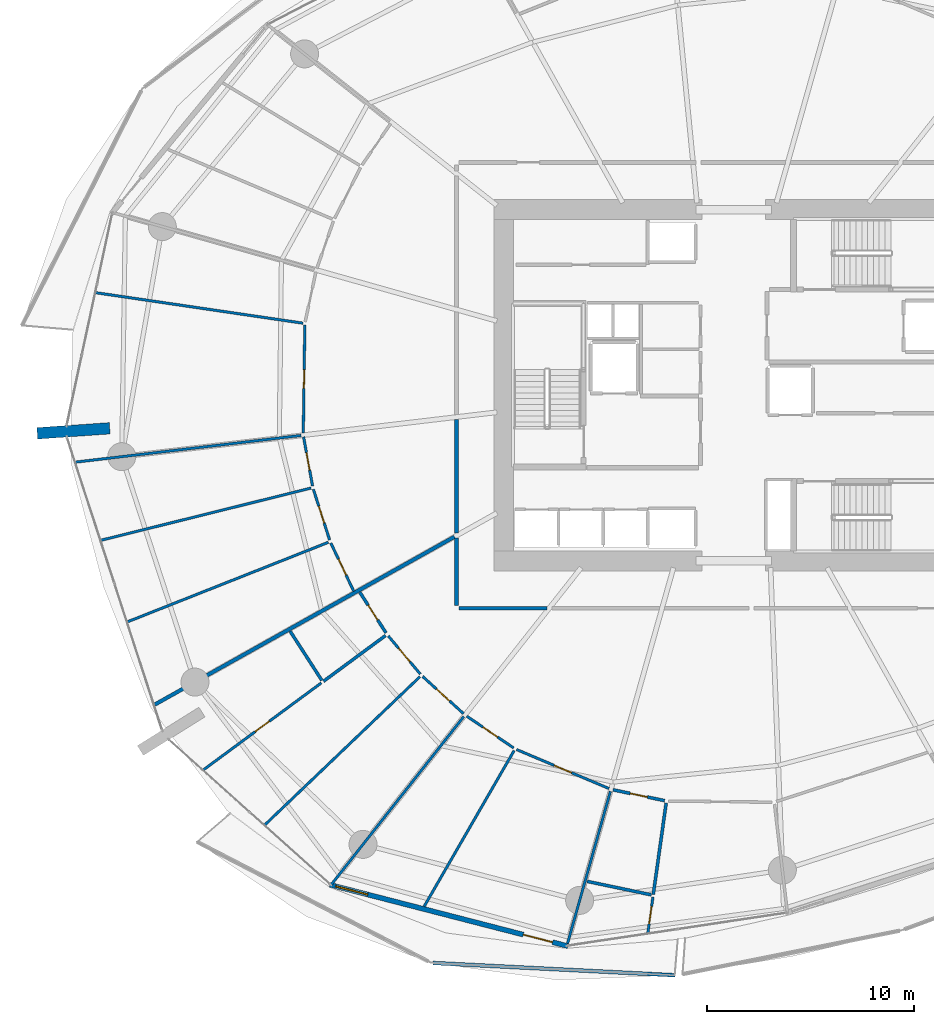
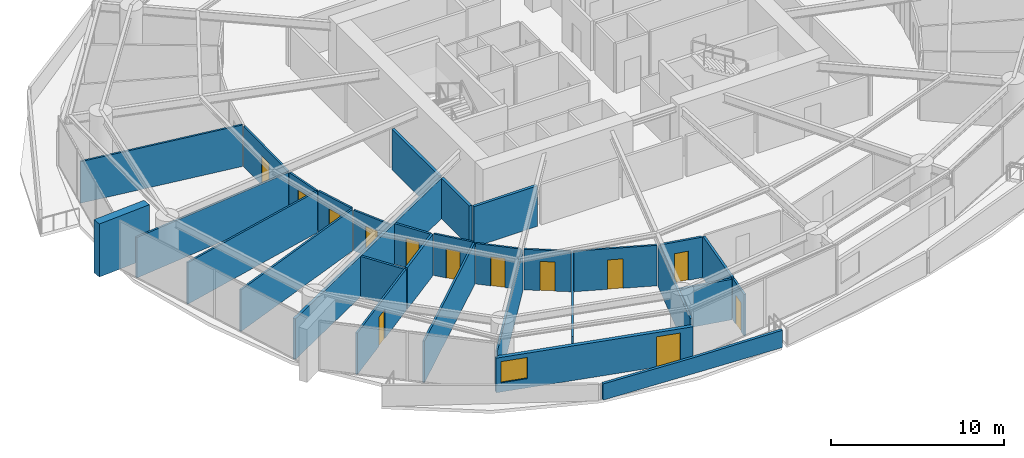
# One storey, part 19 of 31: 31 walls, 13 doors, 1 window, 14 openings.
"""IFC4 building model written with IfcOpenShell, lengths in metres."""

from ifc_helpers import new_model, si_unit, direction, frame, frame_2d, origin, place, context, subcontext, project, spatial, polyline, rectangle, outline, extrude, material, layer, layer_set, type_object, element, fill, save


model = new_model("IFC4")

# Units and contexts
model_context = context("Model", 3, precision=1e-05, world=origin(), true_north=direction((0.0, 1.0)))
body_context = subcontext(model_context, "Body", "Model", "MODEL_VIEW")
ifc_project = project(units=[si_unit("LENGTHUNIT", "METRE"), si_unit("AREAUNIT", "SQUARE_METRE"), si_unit("VOLUMEUNIT", "CUBIC_METRE"), si_unit("PLANEANGLEUNIT", "RADIAN"), si_unit("MASSUNIT", "GRAM", prefix="KILO")], contexts=[model_context])

# Site, building, storey
site_placement = place(None, origin())
site = spatial("IfcSite", under=ifc_project, at=site_placement, CompositionType="ELEMENT")
building_placement = place(site_placement, origin())
building = spatial("IfcBuilding", under=site, at=building_placement, Name="Kazma Halo Residences", CompositionType="ELEMENT")
storey_placement = place(building_placement, frame((0.0, 0.0, 37.64990234375)))
storey = spatial("IfcBuildingStorey", under=building, at=storey_placement, Name="L08", CompositionType="ELEMENT", Elevation=37.64990234375)

# Walls
ifc_material_1 = material(Name="White Concrete C50/60 Balustrade", Category="concrete")
ifc_layer_1 = layer(ifc_material_1, 0.179931640625)
ifc_layer_set_1 = layer_set([ifc_layer_1], Name="White Concrete C50/60 Balustrade")
wall_type_1 = type_object("IfcWallType", Name="WL-BAL-WAVE-180", PredefinedType="PARAPET", material=ifc_layer_set_1)
wall_1_placement = place(storey_placement, frame((33.923583984375, 14.132568359375, 0.0), z_axis=(0.0, 0.0, 1.0), x_axis=(0.998712715241, -0.050723884084, 0.0)))
element("IfcWall", 1, at=wall_1_placement, inside=storey, type_object=wall_type_1, Name="L08 white wave balustrade wall SW.2", PredefinedType="PARAPET", context=body_context, shape_type="SweptSolid", body=[
    extrude(outline(polyline([(0.0, 0.0), (11.6767578125, 0.0), (11.676513671875, 1.22412109375), (5.83837890625, 1.127197265625), (0.0, 1.148193359375), (0.0, 0.0)])), frame((0.0, 0.08984375, 0.0), z_axis=(0.0, -1.0, 0.0), x_axis=(1.0, 0.0, 0.0)), (0.0, 0.0, 1.0), 0.179931640625),
])
ifc_material_2 = material(Name="Pale Concrete C60/75", Category="concrete")
ifc_layer_2 = layer(ifc_material_2, 0.550048828125)
ifc_layer_set_2 = layer_set([ifc_layer_2], Name="Pale Concrete C60/75")
wall_type_2 = type_object("IfcWallType", Name="WL-BLADE-550", PredefinedType="SOLIDWALL", material=ifc_layer_set_2)
wall_2_placement = place(storey_placement, frame((18.322021484375, 39.9248046875, 0.0), z_axis=(0.0, 0.0, 1.0), x_axis=(-0.997564163539, -0.069754853754, 0.0)))
element("IfcWall", 2, at=wall_2_placement, inside=storey, type_object=wall_type_2, Name="L08 pale concrete structural blade fin wall BW-02", PredefinedType="SOLIDWALL", context=body_context, shape_type="SweptSolid", body=[
    extrude(rectangle(XDim=3.5, YDim=0.550048828125, at=frame_2d((1.75, 0.0))), origin(), (0.0, 0.0, 1.0), 3.75),
])
ifc_material_3 = material(Name="Acoustic Twin-Stud Gypsum")
ifc_layer_3 = layer(ifc_material_3, 0.179931640625)
ifc_layer_set_3 = layer_set([ifc_layer_3], Name="Acoustic Twin-Stud Gypsum")
wall_type_3 = type_object("IfcWallType", Name="WL-DEM-180", PredefinedType="PARTITIONING", material=ifc_layer_set_3)
wall_3_placement = place(storey_placement, frame((34.9541015625, 34.694091796875, 0.0), z_axis=(0.0, 0.0, 1.0), x_axis=(-0.872493465611, -0.488625779577, 0.0)))
element("IfcWall", 3, at=wall_3_placement, inside=storey, type_object=wall_type_3, Name="L08 apartment demising radial wall 08", PredefinedType="PARTITIONING", context=body_context, shape_type="SweptSolid", body=[
    extrude(rectangle(XDim=16.586181640625, YDim=0.179931640625, at=frame_2d((8.29296875, 0.0))), origin(), (0.0, 0.0, 1.0), 2.8671875),
])
wall_4_placement = place(storey_placement, frame((35.050048828125, 40.347412109375, 0.0), z_axis=(0.0, 0.0, 1.0), x_axis=(0.0, -1.0, 0.0)))
element("IfcWall", 4, at=wall_4_placement, inside=storey, type_object=wall_type_3, Name="L08 Apartment 1 inner wall 7", PredefinedType="PARTITIONING", context=body_context, shape_type="SweptSolid", body=[
    extrude(rectangle(XDim=5.479736328125, YDim=0.179931640625, at=frame_2d((2.73974609375, 0.0))), origin(), (0.0, 0.0, 1.0), 2.8671875),
])
wall_5_placement = place(storey_placement, frame((35.050048828125, 34.627685546875, 0.0), z_axis=(0.0, 0.0, 1.0), x_axis=(0.0, -1.0, 0.0)))
element("IfcWall", 5, at=wall_5_placement, inside=storey, type_object=wall_type_3, Name="L08 Apartment 2 inner wall 8", PredefinedType="PARTITIONING", context=body_context, shape_type="SweptSolid", body=[
    extrude(rectangle(XDim=3.257568359375, YDim=0.179931640625, at=frame_2d((1.62890625, 0.0))), origin(), (0.0, 0.0, 1.0), 2.8671875),
])
wall_6_placement = place(storey_placement, frame((35.169921875, 31.25, 0.0), z_axis=(0.0, 0.0, 1.0), x_axis=(1.0, 0.0, 0.0)))
element("IfcWall", 6, at=wall_6_placement, inside=storey, type_object=wall_type_3, Name="L08 Apartment 2 inner wall 8", PredefinedType="PARTITIONING", context=body_context, shape_type="SweptSolid", body=[
    extrude(rectangle(XDim=4.235595703125, YDim=0.179931640625, at=frame_2d((2.11767578125, 0.0))), origin(), (0.0, 0.0, 1.0), 2.8671875),
])

# Wall, openings, door, window
ifc_material_4 = material(Name="Insulated Pale-Metal Composite Wall")
ifc_layer_4 = layer(ifc_material_4, 0.239990234375)
ifc_layer_set_4 = layer_set([ifc_layer_4], Name="Insulated Pale-Metal Composite Wall")
wall_type_4 = type_object("IfcWallType", Name="WL-EXT-HOST-240", PredefinedType="SOLIDWALL", material=ifc_layer_set_4)
wall_7_placement = place(storey_placement, frame((28.94580078125, 17.90380859375, 0.0), z_axis=(0.0, 0.0, 1.0), x_axis=(0.96833871487, -0.249640007378, 0.0)))
wall_7 = element("IfcWall", 7, at=wall_7_placement, inside=storey, type_object=wall_type_4, Name="L08 exterior terrace-access wall B10", PredefinedType="SOLIDWALL", context=body_context, shape_type="SweptSolid", body=[
    extrude(rectangle(XDim=11.85107421875, YDim=0.239990234375, at=frame_2d((5.925537109375, 0.0))), origin(), (0.0, 0.0, 1.0), 2.4501953125),
])
opening_1_placement = place(wall_7_placement, frame((9.631103515625, 0.0, 0.0)))
opening_1 = element("IfcOpeningElement", 8, at=opening_1_placement, cuts=wall_7, Name="Opening DTR-1600", PredefinedType="OPENING", context=body_context, shape_type="SweptSolid", body=[
    extrude(rectangle(XDim=1.449951171875, YDim=2.14990234375, at=frame_2d((0.72509765625, 1.074951171875))), frame((0.0, 0.1298828125, 0.0), z_axis=(0.0, -1.0, 0.0), x_axis=(1.0, 0.0, 0.0)), (0.0, 0.0, 1.0), 0.260009765625),
])
opening_2_placement = place(wall_7_placement, frame((0.280029296875, 0.0, 0.64990234375)))
opening_2 = element("IfcOpeningElement", 9, at=opening_2_placement, cuts=wall_7, Name="Opening W-1800", PredefinedType="OPENING", context=body_context, shape_type="SweptSolid", body=[
    extrude(rectangle(XDim=1.60009765625, YDim=1.5, at=frame_2d((0.800048828125, 0.75))), frame((0.0, 0.1298828125, 0.0), z_axis=(0.0, -1.0, 0.0), x_axis=(1.0, 0.0, 0.0)), (0.0, 0.0, 1.0), 0.260009765625),
])
ifc_material_5 = material(Name="Aluminium AW-6063 T6 Double-Glazed Terrace Door", Category="aluminium")
door_type_1 = type_object("IfcDoorType", Name="DR-EXT-TERR-1600", OperationType="NOTDEFINED", PredefinedType="DOOR", material=ifc_material_5)
door_1_placement = place(opening_1_placement, origin())
door_1 = element("IfcDoor", 10, at=door_1_placement, inside=storey, type_object=door_type_1, Name="L08 B10 balcony terrace door", OperationType="DOUBLE_DOOR_SLIDING", OverallHeight=2.14990234375, OverallWidth=1.449951171875, PredefinedType="DOOR", context=body_context, shape_type="SweptSolid", body=[
    extrude(rectangle(XDim=1.449951171875, YDim=2.14990234375, at=frame_2d((0.72509765625, 1.074951171875))), frame((0.0, 0.02490234375, 0.0), z_axis=(0.0, -1.0, 0.0), x_axis=(1.0, 0.0, 0.0)), (0.0, 0.0, 1.0), 0.050048828125),
])
fill(opening_1, door_1)
ifc_material_6 = material(Name="Clear Triple-Silver Low-E Glass in Aluminium AW-6063 T6 Frame", Category="aluminium")
window_type = type_object("IfcWindowType", Name="WIN-RES-1800", PartitioningType="DOUBLE_PANEL_VERTICAL", PredefinedType="WINDOW", material=ifc_material_6)
window_placement = place(opening_2_placement, origin())
window = element("IfcWindow", 11, at=window_placement, inside=storey, type_object=window_type, Name="L08 B10 apartment window", OverallHeight=1.5, OverallWidth=1.60009765625, PartitioningType="SINGLE_PANEL", PredefinedType="WINDOW", context=body_context, shape_type="SweptSolid", body=[
    extrude(rectangle(XDim=1.60009765625, YDim=1.5, at=frame_2d((0.800048828125, 0.75))), frame((0.0, 0.030029296875, 0.0), z_axis=(0.0, -1.0, 0.0), x_axis=(1.0, 0.0, 0.0)), (0.0, 0.0, 1.0), 0.06005859375),
])
fill(opening_2, window)

# Wall
ifc_material_7 = material(Name="Gypsum Plasterboard Partition")
ifc_layer_5 = layer(ifc_material_7, 0.125)
ifc_layer_set_5 = layer_set([ifc_layer_5], Name="Gypsum Plasterboard Partition")
wall_type_5 = type_object("IfcWallType", Name="WL-PART-125", PredefinedType="PARTITIONING", material=ifc_layer_set_5)
wall_8_placement = place(storey_placement, frame((27.646240234375, 44.99462890625, 0.0), z_axis=(0.0, 0.0, 1.0), x_axis=(-0.989346856364, 0.145577463234, 0.0)))
element("IfcWall", 12, at=wall_8_placement, inside=storey, type_object=wall_type_5, Name="L08 Apartment 1 mid-bay wall 6", PredefinedType="PARTITIONING", context=body_context, shape_type="SweptSolid", body=[
    extrude(rectangle(XDim=10.104248046875, YDim=0.125, at=frame_2d((5.05224609375, 0.0))), origin(), (0.0, 0.0, 1.0), 2.940185546875),
])

# Wall, opening, door
wall_9_placement = place(storey_placement, frame((27.734130859375, 44.901611328125, 0.0), z_axis=(0.0, 0.0, 1.0), x_axis=(-0.014152399805, -0.999899849775, 0.0)))
wall_9 = element("IfcWall", 13, at=wall_9_placement, inside=storey, type_object=wall_type_5, Name="L08 Apartment 1 Primary Formal Dining Room hall wall", PredefinedType="PARTITIONING", context=body_context, shape_type="SweptSolid", body=[
    extrude(rectangle(XDim=5.209716796875, YDim=0.125, at=frame_2d((2.60498046875, 0.0))), origin(), (0.0, 0.0, 1.0), 2.8671875),
])
opening_3_placement = place(wall_9_placement, frame((2.15478515625, 0.0, 0.0)))
opening_3 = element("IfcOpeningElement", 14, at=opening_3_placement, cuts=wall_9, Name="Opening DI-950", PredefinedType="OPENING", context=body_context, shape_type="SweptSolid", body=[
    extrude(rectangle(XDim=0.89990234375, YDim=2.080078125, at=frame_2d((0.449951171875, 1.0400390625))), frame((0.0, 0.072509765625, 0.0), z_axis=(0.0, -1.0, 0.0), x_axis=(1.0, 0.0, 0.0)), (0.0, 0.0, 1.0), 0.14501953125),
])
ifc_material_8 = material(Name="Timber Veneer Flush Leaf", Category="wood")
door_type_2 = type_object("IfcDoorType", Name="DR-INT-950", OperationType="NOTDEFINED", PredefinedType="DOOR", material=ifc_material_8)
door_2_placement = place(opening_3_placement, origin())
door_2 = element("IfcDoor", 15, at=door_2_placement, inside=storey, type_object=door_type_2, Name="L08 Apartment 1 Primary Formal Dining Room door", OperationType="SINGLE_SWING_RIGHT", OverallHeight=2.080078125, OverallWidth=0.89990234375, PredefinedType="DOOR", context=body_context, shape_type="SweptSolid", body=[
    extrude(rectangle(XDim=0.89990234375, YDim=2.080078125, at=frame_2d((0.449951171875, 1.0400390625))), frame((0.0, 0.02490234375, 0.0), z_axis=(0.0, -1.0, 0.0), x_axis=(1.0, 0.0, 0.0)), (0.0, 0.0, 1.0), 0.050048828125),
])
fill(opening_3, door_2)

# Walls
wall_10_placement = place(storey_placement, frame((27.559814453125, 39.580810546875, 0.0), z_axis=(0.0, 0.0, 1.0), x_axis=(-0.993067148518, -0.117548451854, 0.0)))
element("IfcWall", 16, at=wall_10_placement, inside=storey, type_object=wall_type_5, Name="L08 Apartment 1 radial partition 7", PredefinedType="PARTITIONING", context=body_context, shape_type="SweptSolid", body=[
    extrude(rectangle(XDim=10.955810546875, YDim=0.125, at=frame_2d((5.47802734375, 0.0))), origin(), (0.0, 0.0, 1.0), 2.8671875),
])
wall_11_placement = place(storey_placement, frame((28.03369140625, 37.040283203125, 0.0), z_axis=(0.0, 0.0, 1.0), x_axis=(-0.970510155377, -0.241060237928, 0.0)))
element("IfcWall", 17, at=wall_11_placement, inside=storey, type_object=wall_type_5, Name="L08 Apartment 1 bay wall 1 7", PredefinedType="PARTITIONING", context=body_context, shape_type="SweptSolid", body=[
    extrude(rectangle(XDim=10.436767578125, YDim=0.125, at=frame_2d((5.21826171875, 0.0))), origin(), (0.0, 0.0, 1.0), 2.940185546875),
])
wall_12_placement = place(storey_placement, frame((28.87158203125, 34.426513671875, 0.0), z_axis=(0.0, 0.0, 1.0), x_axis=(-0.929776542834, -0.368124408855, 0.0)))
element("IfcWall", 18, at=wall_12_placement, inside=storey, type_object=wall_type_5, Name="L08 Apartment 1 bay wall 2 7", PredefinedType="PARTITIONING", context=body_context, shape_type="SweptSolid", body=[
    extrude(rectangle(XDim=10.420166015625, YDim=0.125, at=frame_2d((5.2099609375, 0.0))), origin(), (0.0, 0.0, 1.0), 2.940185546875),
])

# Wall, opening, door
wall_13_placement = place(storey_placement, frame((27.67333984375, 39.513916015625, 0.0), z_axis=(0.0, 0.0, 1.0), x_axis=(0.179642413558, -0.983731977345, 0.0)))
wall_13 = element("IfcWall", 19, at=wall_13_placement, inside=storey, type_object=wall_type_5, Name="L08 Apartment 1 Secondary Bedroom hall wall", PredefinedType="PARTITIONING", context=body_context, shape_type="SweptSolid", body=[
    extrude(rectangle(XDim=2.412353515625, YDim=0.125, at=frame_2d((1.2060546875, 0.0))), origin(), (0.0, 0.0, 1.0), 2.8671875),
])
opening_4_placement = place(wall_13_placement, frame((0.781005859375, 0.0, 0.0)))
opening_4 = element("IfcOpeningElement", 20, at=opening_4_placement, cuts=wall_13, Name="Opening DB-900", PredefinedType="OPENING", context=body_context, shape_type="SweptSolid", body=[
    extrude(rectangle(XDim=0.85009765625, YDim=2.06005859375, at=frame_2d((0.425048828125, 1.030029296875))), frame((0.0, 0.072509765625, 0.0), z_axis=(0.0, -1.0, 0.0), x_axis=(1.0, 0.0, 0.0)), (0.0, 0.0, 1.0), 0.14501953125),
])
ifc_material_9 = material(Name="Moisture-Sealed Timber Leaf", Category="wood")
door_type_3 = type_object("IfcDoorType", Name="DR-BTH-900", OperationType="NOTDEFINED", PredefinedType="DOOR", material=ifc_material_9)
door_3_placement = place(opening_4_placement, origin())
door_3 = element("IfcDoor", 21, at=door_3_placement, inside=storey, type_object=door_type_3, Name="L08 Apartment 1 Secondary Bedroom door", OperationType="SINGLE_SWING_LEFT", OverallHeight=2.06005859375, OverallWidth=0.85009765625, PredefinedType="DOOR", context=body_context, shape_type="SweptSolid", body=[
    extrude(rectangle(XDim=0.85009765625, YDim=2.06005859375, at=frame_2d((0.425048828125, 1.030029296875))), frame((0.0, 0.02490234375, 0.0), z_axis=(0.0, -1.0, 0.0), x_axis=(1.0, 0.0, 0.0)), (0.0, 0.0, 1.0), 0.050048828125),
])
fill(opening_4, door_3)

wall_14_placement = place(storey_placement, frame((28.1455078125, 36.98583984375, 0.0), z_axis=(0.0, 0.0, 1.0), x_axis=(0.305274947668, -0.952264252362, 0.0)))
wall_14 = element("IfcWall", 22, at=wall_14_placement, inside=storey, type_object=wall_type_5, Name="L08 Apartment 1 East Dressing Wardrobe hall wall", PredefinedType="PARTITIONING", context=body_context, shape_type="SweptSolid", body=[
    extrude(rectangle(XDim=2.57275390625, YDim=0.125, at=frame_2d((1.286376953125, 0.0))), origin(), (0.0, 0.0, 1.0), 2.940185546875),
])
opening_5_placement = place(wall_14_placement, frame((0.861328125, 0.0, 0.0)))
opening_5 = element("IfcOpeningElement", 23, at=opening_5_placement, cuts=wall_14, Name="Opening DB-900", PredefinedType="OPENING", context=body_context, shape_type="SweptSolid", body=[
    extrude(rectangle(XDim=0.85009765625, YDim=2.06005859375, at=frame_2d((0.425048828125, 1.030029296875))), frame((0.0, 0.072509765625, 0.0), z_axis=(0.0, -1.0, 0.0), x_axis=(1.0, 0.0, 0.0)), (0.0, 0.0, 1.0), 0.14501953125),
])
door_4_placement = place(opening_5_placement, origin())
door_4 = element("IfcDoor", 24, at=door_4_placement, inside=storey, type_object=door_type_3, Name="L08 Apartment 1 East Dressing Wardrobe door", OperationType="SINGLE_SWING_RIGHT", OverallHeight=2.06005859375, OverallWidth=0.85009765625, PredefinedType="DOOR", context=body_context, shape_type="SweptSolid", body=[
    extrude(rectangle(XDim=0.85009765625, YDim=2.06005859375, at=frame_2d((0.425048828125, 1.030029296875))), frame((0.0, 0.02490234375, 0.0), z_axis=(0.0, -1.0, 0.0), x_axis=(1.0, 0.0, 0.0)), (0.0, 0.0, 1.0), 0.050048828125),
])
fill(opening_5, door_4)

wall_15_placement = place(storey_placement, frame((28.98974609375, 34.387451171875, 0.0), z_axis=(0.0, 0.0, 1.0), x_axis=(0.429399392499, -0.903114700202, 0.0)))
wall_15 = element("IfcWall", 25, at=wall_15_placement, inside=storey, type_object=wall_type_5, Name="L08 Apartment 1 West Master Bedroom hall wall", PredefinedType="PARTITIONING", context=body_context, shape_type="SweptSolid", body=[
    extrude(rectangle(XDim=2.57275390625, YDim=0.125, at=frame_2d((1.286376953125, 0.0))), origin(), (0.0, 0.0, 1.0), 2.8671875),
])
opening_6_placement = place(wall_15_placement, frame((0.861328125, 0.0, 0.0)))
opening_6 = element("IfcOpeningElement", 26, at=opening_6_placement, cuts=wall_15, Name="Opening DB-900", PredefinedType="OPENING", context=body_context, shape_type="SweptSolid", body=[
    extrude(rectangle(XDim=0.85009765625, YDim=2.06005859375, at=frame_2d((0.425048828125, 1.030029296875))), frame((0.0, 0.072509765625, 0.0), z_axis=(0.0, -1.0, 0.0), x_axis=(1.0, 0.0, 0.0)), (0.0, 0.0, 1.0), 0.14501953125),
])
door_5_placement = place(opening_6_placement, origin())
door_5 = element("IfcDoor", 27, at=door_5_placement, inside=storey, type_object=door_type_3, Name="L08 Apartment 1 West Master Bedroom door", OperationType="SINGLE_SWING_LEFT", OverallHeight=2.06005859375, OverallWidth=0.85009765625, PredefinedType="DOOR", context=body_context, shape_type="SweptSolid", body=[
    extrude(rectangle(XDim=0.85009765625, YDim=2.06005859375, at=frame_2d((0.425048828125, 1.030029296875))), frame((0.0, 0.02490234375, 0.0), z_axis=(0.0, -1.0, 0.0), x_axis=(1.0, 0.0, 0.0)), (0.0, 0.0, 1.0), 0.050048828125),
])
fill(opening_6, door_5)

wall_16_placement = place(storey_placement, frame((28.528564453125, 27.6416015625, 0.0), z_axis=(0.0, 0.0, 1.0), x_axis=(-0.804851782882, -0.593475869427, 0.0)))
wall_16 = element("IfcWall", 28, at=wall_16_placement, inside=storey, type_object=wall_type_5, Name="L08 Apartment 2 Utility Laundry Room partition wall", PredefinedType="PARTITIONING", context=body_context, shape_type="SweptSolid", body=[
    extrude(rectangle(XDim=7.068603515625, YDim=0.125, at=frame_2d((3.5341796875, 0.0))), origin(), (0.0, 0.0, 1.0), 2.940185546875),
])
opening_7_placement = place(wall_16_placement, frame((3.109375, 0.0, 0.0)))
opening_7 = element("IfcOpeningElement", 29, at=opening_7_placement, cuts=wall_16, Name="Opening DB-900", PredefinedType="OPENING", context=body_context, shape_type="SweptSolid", body=[
    extrude(rectangle(XDim=0.85009765625, YDim=2.06005859375, at=frame_2d((0.425048828125, 1.030029296875))), frame((0.0, 0.072509765625, 0.0), z_axis=(0.0, -1.0, 0.0), x_axis=(1.0, 0.0, 0.0)), (0.0, 0.0, 1.0), 0.14501953125),
])
door_6_placement = place(opening_7_placement, origin())
door_6 = element("IfcDoor", 30, at=door_6_placement, inside=storey, type_object=door_type_3, Name="L08 Apartment 2 Utility Laundry Room door", OperationType="SINGLE_SWING_RIGHT", OverallHeight=2.06005859375, OverallWidth=0.85009765625, PredefinedType="DOOR", context=body_context, shape_type="SweptSolid", body=[
    extrude(rectangle(XDim=0.85009765625, YDim=2.06005859375, at=frame_2d((0.425048828125, 1.030029296875))), frame((0.0, 0.02490234375, 0.0), z_axis=(0.0, -1.0, 0.0), x_axis=(1.0, 0.0, 0.0)), (0.0, 0.0, 1.0), 0.050048828125),
])
fill(opening_7, door_6)

# Wall
wall_17_placement = place(storey_placement, frame((33.291259765625, 27.947021484375, 0.0), z_axis=(0.0, 0.0, 1.0), x_axis=(-0.72304195697, -0.690804117287, 0.0)))
element("IfcWall", 31, at=wall_17_placement, inside=storey, type_object=wall_type_5, Name="L08 Apartment 2 suite divider 8", PredefinedType="PARTITIONING", context=body_context, shape_type="SweptSolid", body=[
    extrude(rectangle(XDim=10.360107421875, YDim=0.125, at=frame_2d((5.18017578125, 0.0))), origin(), (0.0, 0.0, 1.0), 2.940185546875),
])

# Wall, opening, door
wall_18_placement = place(storey_placement, frame((31.75732421875, 29.9111328125, 0.0), z_axis=(0.0, 0.0, 1.0), x_axis=(0.643453951952, -0.76548482135, 0.0)))
wall_18 = element("IfcWall", 32, at=wall_18_placement, inside=storey, type_object=wall_type_5, Name="L08 Apartment 2 Gourmet Kitchen hall wall", PredefinedType="PARTITIONING", context=body_context, shape_type="SweptSolid", body=[
    extrude(rectangle(XDim=2.40478515625, YDim=0.125, at=frame_2d((1.202392578125, 0.0))), origin(), (0.0, 0.0, 1.0), 2.940185546875),
])
opening_8_placement = place(wall_18_placement, frame((0.77734375, 0.0, 0.0)))
opening_8 = element("IfcOpeningElement", 33, at=opening_8_placement, cuts=wall_18, Name="Opening DB-900", PredefinedType="OPENING", context=body_context, shape_type="SweptSolid", body=[
    extrude(rectangle(XDim=0.85009765625, YDim=2.06005859375, at=frame_2d((0.425048828125, 1.030029296875))), frame((0.0, 0.072509765625, 0.0), z_axis=(0.0, -1.0, 0.0), x_axis=(1.0, 0.0, 0.0)), (0.0, 0.0, 1.0), 0.14501953125),
])
door_7_placement = place(opening_8_placement, origin())
door_7 = element("IfcDoor", 34, at=door_7_placement, inside=storey, type_object=door_type_3, Name="L08 Apartment 2 Gourmet Kitchen door", OperationType="SINGLE_SWING_LEFT", OverallHeight=2.06005859375, OverallWidth=0.85009765625, PredefinedType="DOOR", context=body_context, shape_type="SweptSolid", body=[
    extrude(rectangle(XDim=0.85009765625, YDim=2.06005859375, at=frame_2d((0.425048828125, 1.030029296875))), frame((0.0, 0.02490234375, 0.0), z_axis=(0.0, -1.0, 0.0), x_axis=(1.0, 0.0, 0.0)), (0.0, 0.0, 1.0), 0.050048828125),
])
fill(opening_8, door_7)

wall_19_placement = place(storey_placement, frame((33.41552734375, 27.955322265625, 0.0), z_axis=(0.0, 0.0, 1.0), x_axis=(0.739882041231, -0.672736623846, 0.0)))
wall_19 = element("IfcWall", 35, at=wall_19_placement, inside=storey, type_object=wall_type_5, Name="L08 Apartment 2 Master Bedroom hall wall", PredefinedType="PARTITIONING", context=body_context, shape_type="SweptSolid", body=[
    extrude(rectangle(XDim=2.665283203125, YDim=0.125, at=frame_2d((1.33251953125, 0.0))), origin(), (0.0, 0.0, 1.0), 2.8671875),
])
opening_9_placement = place(wall_19_placement, frame((0.90771484375, 0.0, 0.0)))
opening_9 = element("IfcOpeningElement", 36, at=opening_9_placement, cuts=wall_19, Name="Opening DB-900", PredefinedType="OPENING", context=body_context, shape_type="SweptSolid", body=[
    extrude(rectangle(XDim=0.85009765625, YDim=2.06005859375, at=frame_2d((0.425048828125, 1.030029296875))), frame((0.0, 0.072509765625, 0.0), z_axis=(0.0, -1.0, 0.0), x_axis=(1.0, 0.0, 0.0)), (0.0, 0.0, 1.0), 0.14501953125),
])
door_8_placement = place(opening_9_placement, origin())
door_8 = element("IfcDoor", 37, at=door_8_placement, inside=storey, type_object=door_type_3, Name="L08 Apartment 2 Master Bedroom door", OperationType="SINGLE_SWING_RIGHT", OverallHeight=2.06005859375, OverallWidth=0.85009765625, PredefinedType="DOOR", context=body_context, shape_type="SweptSolid", body=[
    extrude(rectangle(XDim=0.85009765625, YDim=2.06005859375, at=frame_2d((0.425048828125, 1.030029296875))), frame((0.0, 0.02490234375, 0.0), z_axis=(0.0, -1.0, 0.0), x_axis=(1.0, 0.0, 0.0)), (0.0, 0.0, 1.0), 0.050048828125),
])
fill(opening_9, door_8)

# Walls
wall_20_placement = place(storey_placement, frame((35.399658203125, 26.0166015625, 0.0), z_axis=(0.0, 0.0, 1.0), x_axis=(-0.619085809847, -0.785323347447, 0.0)))
element("IfcWall", 38, at=wall_20_placement, inside=storey, type_object=wall_type_5, Name="L08 Apartment 2 radial partition 9", PredefinedType="PARTITIONING", context=body_context, shape_type="SweptSolid", body=[
    extrude(rectangle(XDim=10.321533203125, YDim=0.125, at=frame_2d((5.16064453125, 0.0))), origin(), (0.0, 0.0, 1.0), 2.8671875),
])
wall_21_placement = place(storey_placement, frame((37.830810546875, 24.381103515625, 0.0), z_axis=(0.0, 0.0, 1.0), x_axis=(-0.499878153527, -0.866095740451, 0.0)))
element("IfcWall", 39, at=wall_21_placement, inside=storey, type_object=wall_type_5, Name="L08 Apartment 2 mid-bay wall 9", PredefinedType="PARTITIONING", context=body_context, shape_type="SweptSolid", body=[
    extrude(rectangle(XDim=8.687255859375, YDim=0.125, at=frame_2d((4.34375, 0.0))), origin(), (0.0, 0.0, 1.0), 2.940185546875),
])

# Wall, opening, door
wall_22_placement = place(storey_placement, frame((35.544189453125, 26.038818359375, 0.0), z_axis=(0.0, 0.0, 1.0), x_axis=(0.827867904516, -0.560923107629, 0.0)))
wall_22 = element("IfcWall", 40, at=wall_22_placement, inside=storey, type_object=wall_type_5, Name="L08 Apartment 2 East Dressing Wardrobe hall wall", PredefinedType="PARTITIONING", context=body_context, shape_type="SweptSolid", body=[
    extrude(rectangle(XDim=2.736328125, YDim=0.125, at=frame_2d((1.3681640625, 0.0))), origin(), (0.0, 0.0, 1.0), 2.8671875),
])
opening_10_placement = place(wall_22_placement, frame((0.943115234375, 0.0, 0.0)))
opening_10 = element("IfcOpeningElement", 41, at=opening_10_placement, cuts=wall_22, Name="Opening DB-900", PredefinedType="OPENING", context=body_context, shape_type="SweptSolid", body=[
    extrude(rectangle(XDim=0.85009765625, YDim=2.06005859375, at=frame_2d((0.425048828125, 1.030029296875))), frame((0.0, 0.072509765625, 0.0), z_axis=(0.0, -1.0, 0.0), x_axis=(1.0, 0.0, 0.0)), (0.0, 0.0, 1.0), 0.14501953125),
])
door_9_placement = place(opening_10_placement, origin())
door_9 = element("IfcDoor", 42, at=door_9_placement, inside=storey, type_object=door_type_3, Name="L08 Apartment 2 East Dressing Wardrobe door", OperationType="SINGLE_SWING_RIGHT", OverallHeight=2.06005859375, OverallWidth=0.85009765625, PredefinedType="DOOR", context=body_context, shape_type="SweptSolid", body=[
    extrude(rectangle(XDim=0.85009765625, YDim=2.06005859375, at=frame_2d((0.425048828125, 1.030029296875))), frame((0.0, 0.02490234375, 0.0), z_axis=(0.0, -1.0, 0.0), x_axis=(1.0, 0.0, 0.0)), (0.0, 0.0, 1.0), 0.050048828125),
])
fill(opening_10, door_9)

wall_23_placement = place(storey_placement, frame((37.949462890625, 24.427978515625, 0.0), z_axis=(0.0, 0.0, 1.0), x_axis=(0.921391247889, -0.388636293098, 0.0)))
wall_23 = element("IfcWall", 43, at=wall_23_placement, inside=storey, type_object=wall_type_5, Name="L08 Apartment 2 West Master Bedroom hall wall", PredefinedType="PARTITIONING", context=body_context, shape_type="SweptSolid", body=[
    extrude(rectangle(XDim=4.841552734375, YDim=0.125, at=frame_2d((2.4208984375, 0.0))), origin(), (0.0, 0.0, 1.0), 2.8671875),
])
opening_11_placement = place(wall_23_placement, frame((1.970703125, 0.0, 0.0)))
opening_11 = element("IfcOpeningElement", 44, at=opening_11_placement, cuts=wall_23, Name="Opening DI-950", PredefinedType="OPENING", context=body_context, shape_type="SweptSolid", body=[
    extrude(rectangle(XDim=0.89990234375, YDim=2.080078125, at=frame_2d((0.449951171875, 1.0400390625))), frame((0.0, 0.072509765625, 0.0), z_axis=(0.0, -1.0, 0.0), x_axis=(1.0, 0.0, 0.0)), (0.0, 0.0, 1.0), 0.14501953125),
])
door_10_placement = place(opening_11_placement, origin())
door_10 = element("IfcDoor", 45, at=door_10_placement, inside=storey, type_object=door_type_2, Name="L08 Apartment 2 West Master Bedroom door", OperationType="SINGLE_SWING_LEFT", OverallHeight=2.080078125, OverallWidth=0.89990234375, PredefinedType="DOOR", context=body_context, shape_type="SweptSolid", body=[
    extrude(rectangle(XDim=0.89990234375, YDim=2.080078125, at=frame_2d((0.449951171875, 1.0400390625))), frame((0.0, 0.02490234375, 0.0), z_axis=(0.0, -1.0, 0.0), x_axis=(1.0, 0.0, 0.0)), (0.0, 0.0, 1.0), 0.050048828125),
])
fill(opening_11, door_10)

# Wall
wall_24_placement = place(storey_placement, frame((42.475341796875, 22.4111328125, 0.0), z_axis=(0.0, 0.0, 1.0), x_axis=(-0.271439615814, -0.96245547168, 0.0)))
element("IfcWall", 46, at=wall_24_placement, inside=storey, type_object=wall_type_5, Name="L08 Apartment 2 radial partition 10", PredefinedType="PARTITIONING", context=body_context, shape_type="SweptSolid", body=[
    extrude(rectangle(XDim=7.619140625, YDim=0.125, at=frame_2d((3.8095703125, 0.0))), origin(), (0.0, 0.0, 1.0), 2.8671875),
])

# Wall, opening, door
wall_25_placement = place(storey_placement, frame((44.525634765625, 17.310302734375, 0.0), z_axis=(0.0, 0.0, 1.0), x_axis=(-0.139282491489, -0.990252688744, 0.0)))
wall_25 = element("IfcWall", 47, at=wall_25_placement, inside=storey, type_object=wall_type_5, Name="L08 Apartment 2 South Walk-In Wardrobe partition wall", PredefinedType="PARTITIONING", context=body_context, shape_type="SweptSolid", body=[
    extrude(rectangle(XDim=1.758056640625, YDim=0.125, at=frame_2d((0.87890625, 0.0))), origin(), (0.0, 0.0, 1.0), 2.940185546875),
])
opening_12_placement = place(wall_25_placement, frame((0.4541015625, 0.0, 0.0)))
opening_12 = element("IfcOpeningElement", 48, at=opening_12_placement, cuts=wall_25, Name="Opening DB-900", PredefinedType="OPENING", context=body_context, shape_type="SweptSolid", body=[
    extrude(rectangle(XDim=0.85009765625, YDim=2.06005859375, at=frame_2d((0.425048828125, 1.030029296875))), frame((0.0, 0.072509765625, 0.0), z_axis=(0.0, -1.0, 0.0), x_axis=(1.0, 0.0, 0.0)), (0.0, 0.0, 1.0), 0.14501953125),
])
door_11_placement = place(opening_12_placement, origin())
door_11 = element("IfcDoor", 49, at=door_11_placement, inside=storey, type_object=door_type_3, Name="L08 Apartment 2 South Walk-In Wardrobe door", OperationType="SINGLE_SWING_RIGHT", OverallHeight=2.06005859375, OverallWidth=0.85009765625, PredefinedType="DOOR", context=body_context, shape_type="SweptSolid", body=[
    extrude(rectangle(XDim=0.85009765625, YDim=2.06005859375, at=frame_2d((0.425048828125, 1.030029296875))), frame((0.0, 0.02490234375, 0.0), z_axis=(0.0, -1.0, 0.0), x_axis=(1.0, 0.0, 0.0)), (0.0, 0.0, 1.0), 0.050048828125),
])
fill(opening_12, door_11)

ifc_material_10 = material(Name="Moisture-Resistant Gypsum")
ifc_layer_6 = layer(ifc_material_10, 0.14990234375)
ifc_layer_set_6 = layer_set([ifc_layer_6], Name="Moisture-Resistant Gypsum")
wall_type_6 = type_object("IfcWallType", Name="WL-WET-150", PredefinedType="PARTITIONING", material=ifc_layer_set_6)
wall_26_placement = place(storey_placement, frame((30.383544921875, 32.02001953125, 0.0), z_axis=(0.0, 0.0, 1.0), x_axis=(0.542055500246, -0.84034268882, 0.0)))
wall_26 = element("IfcWall", 50, at=wall_26_placement, inside=storey, type_object=wall_type_6, Name="L08 Apartment 2 Guest Bathroom hall wall", PredefinedType="PARTITIONING", context=body_context, shape_type="SweptSolid", body=[
    extrude(rectangle(XDim=2.337646484375, YDim=0.14990234375, at=frame_2d((1.1689453125, 0.0))), origin(), (0.0, 0.0, 1.0), 2.8671875),
])
opening_13_placement = place(wall_26_placement, frame((0.743896484375, 0.0, 0.0)))
opening_13 = element("IfcOpeningElement", 51, at=opening_13_placement, cuts=wall_26, Name="Opening DB-900", PredefinedType="OPENING", context=body_context, shape_type="SweptSolid", body=[
    extrude(rectangle(XDim=0.85009765625, YDim=2.06005859375, at=frame_2d((0.425048828125, 1.030029296875))), frame((0.0, 0.0849609375, 0.0), z_axis=(0.0, -1.0, 0.0), x_axis=(1.0, 0.0, 0.0)), (0.0, 0.0, 1.0), 0.169921875),
])
door_12_placement = place(opening_13_placement, origin())
door_12 = element("IfcDoor", 52, at=door_12_placement, inside=storey, type_object=door_type_3, Name="L08 Apartment 2 Guest Bathroom door", OperationType="SINGLE_SWING_LEFT", OverallHeight=2.06005859375, OverallWidth=0.85009765625, PredefinedType="DOOR", context=body_context, shape_type="SweptSolid", body=[
    extrude(rectangle(XDim=0.85009765625, YDim=2.06005859375, at=frame_2d((0.425048828125, 1.030029296875))), frame((0.0, 0.02490234375, 0.0), z_axis=(0.0, -1.0, 0.0), x_axis=(1.0, 0.0, 0.0)), (0.0, 0.0, 1.0), 0.050048828125),
])
fill(opening_13, door_12)

# Walls
wall_27_placement = place(storey_placement, frame((27.0244140625, 30.138916015625, 0.0), z_axis=(0.0, 0.0, 1.0), x_axis=(0.542061750335, -0.840338657223, 0.0)))
element("IfcWall", 53, at=wall_27_placement, inside=storey, type_object=wall_type_6, Name="L08 Apartment 2 Guest Bathroom back wall", PredefinedType="PARTITIONING", context=body_context, shape_type="SweptSolid", body=[
    extrude(rectangle(XDim=2.818115234375, YDim=0.14990234375, at=frame_2d((1.4091796875, 0.0))), origin(), (0.0, 0.0, 1.0), 2.8671875),
])
wall_28_placement = place(storey_placement, frame((31.627197265625, 29.9267578125, 0.0), z_axis=(0.0, 0.0, 1.0), x_axis=(-0.804824851799, -0.59351239071, 0.0)))
element("IfcWall", 54, at=wall_28_placement, inside=storey, type_object=wall_type_6, Name="L08 Apartment 2 Guest Bathroom side wall", PredefinedType="PARTITIONING", context=body_context, shape_type="SweptSolid", body=[
    extrude(rectangle(XDim=3.72021484375, YDim=0.14990234375, at=frame_2d((1.860107421875, 0.0))), origin(), (0.0, 0.0, 1.0), 2.940185546875),
])

# Wall, opening, door
wall_29_placement = place(storey_placement, frame((42.600341796875, 22.48681640625, 0.0), z_axis=(0.0, 0.0, 1.0), x_axis=(0.978579306251, -0.20587020517, 0.0)))
wall_29 = element("IfcWall", 55, at=wall_29_placement, inside=storey, type_object=wall_type_6, Name="L08 Apartment 2 North En-Suite Bathroom hall wall", PredefinedType="PARTITIONING", context=body_context, shape_type="SweptSolid", body=[
    extrude(rectangle(XDim=2.543701171875, YDim=0.14990234375, at=frame_2d((1.27197265625, 0.0))), origin(), (0.0, 0.0, 1.0), 2.8671875),
])
opening_14_placement = place(wall_29_placement, frame((0.846923828125, 0.0, 0.0)))
opening_14 = element("IfcOpeningElement", 56, at=opening_14_placement, cuts=wall_29, Name="Opening DB-900", PredefinedType="OPENING", context=body_context, shape_type="SweptSolid", body=[
    extrude(rectangle(XDim=0.85009765625, YDim=2.06005859375, at=frame_2d((0.425048828125, 1.030029296875))), frame((0.0, 0.0849609375, 0.0), z_axis=(0.0, -1.0, 0.0), x_axis=(1.0, 0.0, 0.0)), (0.0, 0.0, 1.0), 0.169921875),
])
door_13_placement = place(opening_14_placement, origin())
door_13 = element("IfcDoor", 57, at=door_13_placement, inside=storey, type_object=door_type_3, Name="L08 Apartment 2 North En-Suite Bathroom door", OperationType="SINGLE_SWING_LEFT", OverallHeight=2.06005859375, OverallWidth=0.85009765625, PredefinedType="DOOR", context=body_context, shape_type="SweptSolid", body=[
    extrude(rectangle(XDim=0.85009765625, YDim=2.06005859375, at=frame_2d((0.425048828125, 1.030029296875))), frame((0.0, 0.02490234375, 0.0), z_axis=(0.0, -1.0, 0.0), x_axis=(1.0, 0.0, 0.0)), (0.0, 0.0, 1.0), 0.050048828125),
])
fill(opening_14, door_13)

# Walls
wall_30_placement = place(storey_placement, frame((41.3544921875, 18.069091796875, 0.0), z_axis=(0.0, 0.0, 1.0), x_axis=(0.978588253421, -0.205827671283, 0.0)))
element("IfcWall", 58, at=wall_30_placement, inside=storey, type_object=wall_type_6, Name="L08 Apartment 2 North En-Suite Bathroom back wall", PredefinedType="PARTITIONING", context=body_context, shape_type="SweptSolid", body=[
    extrude(rectangle(XDim=3.163330078125, YDim=0.14990234375, at=frame_2d((1.58154296875, 0.0))), origin(), (0.0, 0.0, 1.0), 2.8671875),
])
wall_31_placement = place(storey_placement, frame((45.165283203125, 21.85546875, 0.0), z_axis=(0.0, 0.0, 1.0), x_axis=(-0.139367219172, -0.990240767804, 0.0)))
element("IfcWall", 59, at=wall_31_placement, inside=storey, type_object=wall_type_6, Name="L08 Apartment 2 North En-Suite Bathroom side wall", PredefinedType="PARTITIONING", context=body_context, shape_type="SweptSolid", body=[
    extrude(rectangle(XDim=4.4599609375, YDim=0.14990234375, at=frame_2d((2.22998046875, 0.0))), origin(), (0.0, 0.0, 1.0), 2.940185546875),
])

save(model, "model.ifc")
